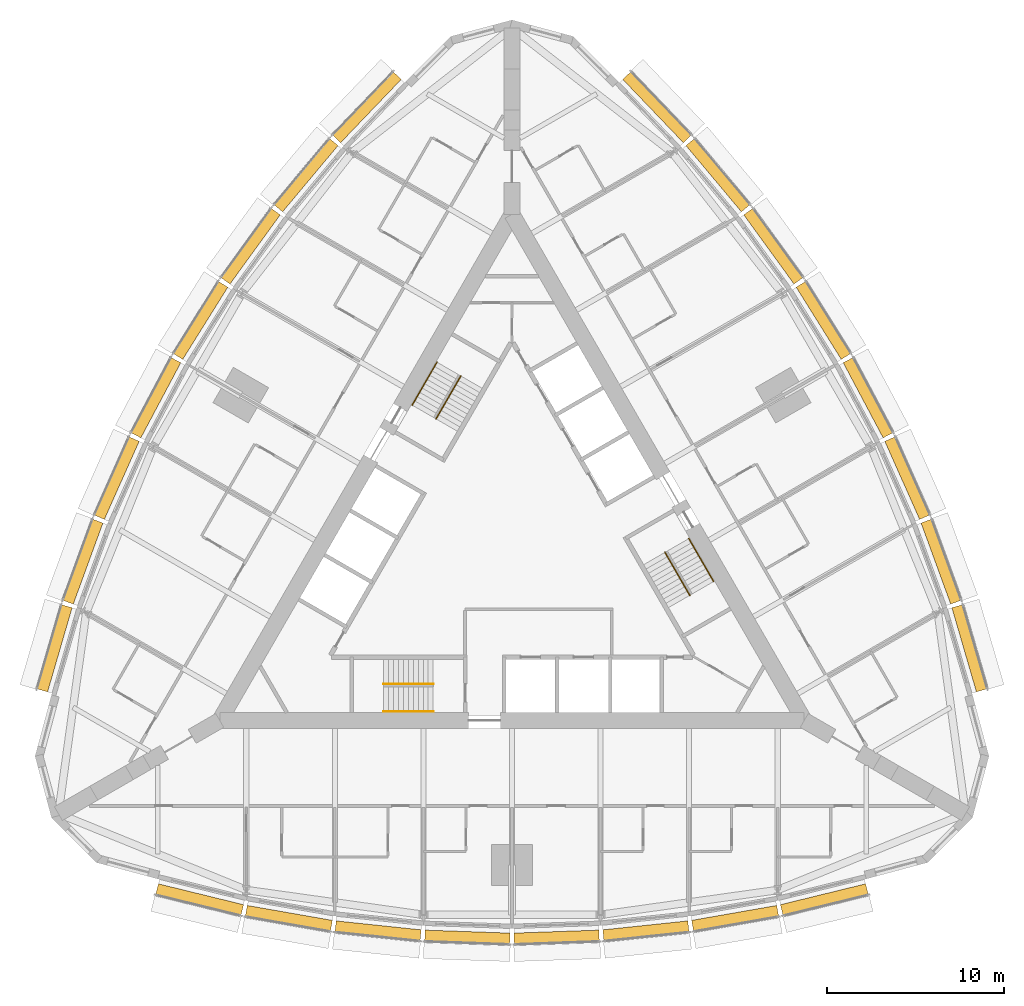
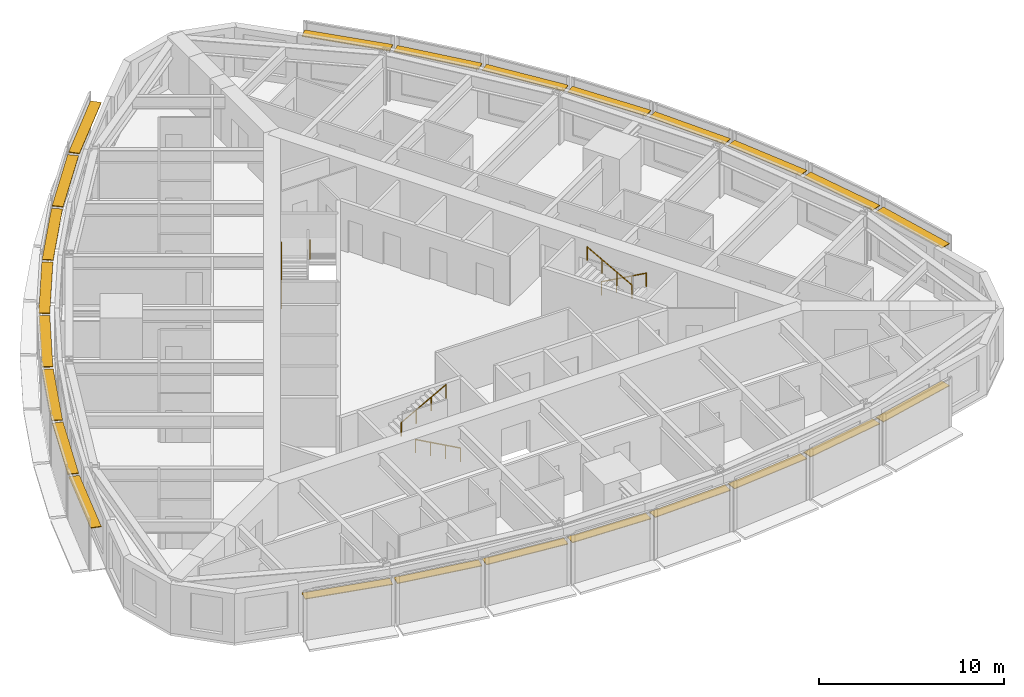
# One storey, part 14 of 14: 24 shading devices, 6 railings.
"""IFC4 building model written with IfcOpenShell, lengths in metres."""

from ifc_helpers import new_model, si_unit, direction, frame, origin, origin_2d, place, context, subcontext, project, spatial, rectangle, circle, extrude, material, type_object, element, save


model = new_model("IFC4")

# Units and contexts
model_context = context("Model", 3, precision=1e-05, world=origin(), true_north=direction((0.0, 1.0)))
body_context = subcontext(model_context, "Body", "Model", "MODEL_VIEW")
ifc_project = project(units=[si_unit("LENGTHUNIT", "METRE"), si_unit("AREAUNIT", "SQUARE_METRE"), si_unit("VOLUMEUNIT", "CUBIC_METRE"), si_unit("PLANEANGLEUNIT", "RADIAN"), si_unit("MASSUNIT", "GRAM", prefix="KILO")], contexts=[model_context])

# Site, building, storey
site_placement = place(None, origin())
site = spatial("IfcSite", under=ifc_project, at=site_placement, CompositionType="ELEMENT")
building_placement = place(site_placement, origin())
building = spatial("IfcBuilding", under=site, at=building_placement, Name="Trikona Tower", CompositionType="ELEMENT")
storey_placement = place(building_placement, frame((0.0, 0.0, 152.10009765625)))
storey = spatial("IfcBuildingStorey", under=building, at=storey_placement, Name="L40", CompositionType="ELEMENT", Elevation=152.10009765625)

# Shading devices
ifc_material_1 = material(Name="Aluminium louvre blade, pale anodised", Category="aluminium")
shading_device_type = type_object("IfcShadingDeviceType", Name="Cavity louvre 600", PredefinedType="USERDEFINED", material=ifc_material_1)
shading_device_1_placement = place(storey_placement, frame((-17.63330078125, -19.631591796875, 2.77490234375), z_axis=(0.0, 0.0, 1.0), x_axis=(0.971274411564, -0.237962218516, 0.0)))
element("IfcShadingDevice", 1, at=shading_device_1_placement, inside=storey, type_object=shading_device_type, Name="Cavity louvre L40-00", ObjectType="LOUVRE", PredefinedType="USERDEFINED", context=body_context, shape_type="SweptSolid", body=[
    extrude(rectangle(XDim=4.947998046875, YDim=0.60009765625, at=origin_2d()), origin(), (0.0, 0.0, 1.0), 0.050048828125),
])
shading_device_2_placement = place(storey_placement, frame((-12.596435546875, -20.689208984375, 2.77490234375), z_axis=(0.0, 0.0, 1.0), x_axis=(0.985030604067, -0.172379549401, 0.0)))
element("IfcShadingDevice", 2, at=shading_device_2_placement, inside=storey, type_object=shading_device_type, Name="Cavity louvre L40-01", ObjectType="LOUVRE", PredefinedType="USERDEFINED", context=body_context, shape_type="SweptSolid", body=[
    extrude(rectangle(XDim=4.8759765625, YDim=0.60009765625, at=origin_2d()), origin(), (0.0, 0.0, 1.0), 0.050048828125),
])
shading_device_3_placement = place(storey_placement, frame((-7.55859375, -21.39453125, 2.77490234375), z_axis=(0.0, 0.0, 1.0), x_axis=(0.994532653854, -0.104426052392, 0.0)))
element("IfcShadingDevice", 3, at=shading_device_3_placement, inside=storey, type_object=shading_device_type, Name="Cavity louvre L40-02", ObjectType="LOUVRE", PredefinedType="USERDEFINED", context=body_context, shape_type="SweptSolid", body=[
    extrude(rectangle(XDim=4.827392578125, YDim=0.60009765625, at=origin_2d()), origin(), (0.0, 0.0, 1.0), 0.050048828125),
])
for number, where, z_axis, x_axis, name in (
    (4, (-2.51953125, -21.747314453125, 2.77490234375), (0.0, 0.0, 1.0), (0.999388082937, -0.034977988567, 0.0), "Cavity louvre L40-03"),
    (5, (2.51953125, -21.747314453125, 2.77490234375), (0.0, 0.0, 1.0), (0.999388082937, 0.034977988567, 0.0), "Cavity louvre L40-04"),
):
    element("IfcShadingDevice", number, at=place(storey_placement, frame(where, z_axis=z_axis, x_axis=x_axis)), inside=storey, type_object=shading_device_type, Name=name, ObjectType="LOUVRE", PredefinedType="USERDEFINED", context=body_context, shape_type="SweptSolid", body=[
        extrude(rectangle(XDim=4.802978515625, YDim=0.60009765625, at=origin_2d()), origin(), (0.0, 0.0, 1.0), 0.050048828125),
    ])
shading_device_4_placement = place(storey_placement, frame((7.55859375, -21.39453125, 2.77490234375), z_axis=(0.0, 0.0, 1.0), x_axis=(0.994532653854, 0.104426052392, 0.0)))
element("IfcShadingDevice", 6, at=shading_device_4_placement, inside=storey, type_object=shading_device_type, Name="Cavity louvre L40-05", ObjectType="LOUVRE", PredefinedType="USERDEFINED", context=body_context, shape_type="SweptSolid", body=[
    extrude(rectangle(XDim=4.827392578125, YDim=0.60009765625, at=origin_2d()), origin(), (0.0, 0.0, 1.0), 0.050048828125),
])
shading_device_5_placement = place(storey_placement, frame((12.596435546875, -20.689208984375, 2.77490234375), z_axis=(0.0, 0.0, 1.0), x_axis=(0.985030604067, 0.172379549401, 0.0)))
element("IfcShadingDevice", 7, at=shading_device_5_placement, inside=storey, type_object=shading_device_type, Name="Cavity louvre L40-06", ObjectType="LOUVRE", PredefinedType="USERDEFINED", context=body_context, shape_type="SweptSolid", body=[
    extrude(rectangle(XDim=4.8759765625, YDim=0.60009765625, at=origin_2d()), origin(), (0.0, 0.0, 1.0), 0.050048828125),
])
shading_device_6_placement = place(storey_placement, frame((17.63330078125, -19.631591796875, 2.77490234375), z_axis=(0.0, 0.0, 1.0), x_axis=(0.971274411564, 0.237962218516, 0.0)))
element("IfcShadingDevice", 8, at=shading_device_6_placement, inside=storey, type_object=shading_device_type, Name="Cavity louvre L40-07", ObjectType="LOUVRE", PredefinedType="USERDEFINED", context=body_context, shape_type="SweptSolid", body=[
    extrude(rectangle(XDim=4.947998046875, YDim=0.60009765625, at=origin_2d()), origin(), (0.0, 0.0, 1.0), 0.050048828125),
])
shading_device_7_placement = place(storey_placement, frame((25.818115234375, -5.455078125, 2.77490234375), z_axis=(0.0, 0.0, 1.0), x_axis=(-0.279554203664, 0.960129911634, 0.0)))
element("IfcShadingDevice", 9, at=shading_device_7_placement, inside=storey, type_object=shading_device_type, Name="Cavity louvre L40-12", ObjectType="LOUVRE", PredefinedType="USERDEFINED", context=body_context, shape_type="SweptSolid", body=[
    extrude(rectangle(XDim=4.94775390625, YDim=0.60009765625, at=origin_2d()), origin(), (0.0, 0.0, 1.0), 0.050048828125),
])
shading_device_8_placement = place(storey_placement, frame((24.2158203125, -0.564208984375, 2.77490234375), z_axis=(0.0, 0.0, 1.0), x_axis=(-0.343220397324, 0.939254895575, 0.0)))
element("IfcShadingDevice", 10, at=shading_device_8_placement, inside=storey, type_object=shading_device_type, Name="Cavity louvre L40-13", ObjectType="LOUVRE", PredefinedType="USERDEFINED", context=body_context, shape_type="SweptSolid", body=[
    extrude(rectangle(XDim=4.8759765625, YDim=0.60009765625, at=origin_2d()), origin(), (0.0, 0.0, 1.0), 0.050048828125),
])
shading_device_9_placement = place(storey_placement, frame((22.3076171875, 4.151611328125, 2.77490234375), z_axis=(0.0, 0.0, 1.0), x_axis=(-0.406843467615, 0.913497888809, 0.0)))
element("IfcShadingDevice", 11, at=shading_device_9_placement, inside=storey, type_object=shading_device_type, Name="Cavity louvre L40-14", ObjectType="LOUVRE", PredefinedType="USERDEFINED", context=body_context, shape_type="SweptSolid", body=[
    extrude(rectangle(XDim=4.827392578125, YDim=0.60009765625, at=origin_2d()), origin(), (0.0, 0.0, 1.0), 0.050048828125),
])
for number, where, z_axis, x_axis, name in (
    (12, (20.093505859375, 8.691650390625, 2.77490234375), (0.0, 0.0, 1.0), (-0.469397591494, 0.882986920118, 0.0), "Cavity louvre L40-15"),
    (13, (17.573974609375, 13.0556640625, 2.77490234375), (0.0, 0.0, 1.0), (-0.529994748414, 0.848000923734, 0.0), "Cavity louvre L40-16"),
):
    element("IfcShadingDevice", number, at=place(storey_placement, frame(where, z_axis=z_axis, x_axis=x_axis)), inside=storey, type_object=shading_device_type, Name=name, ObjectType="LOUVRE", PredefinedType="USERDEFINED", context=body_context, shape_type="SweptSolid", body=[
        extrude(rectangle(XDim=4.802978515625, YDim=0.60009765625, at=origin_2d()), origin(), (0.0, 0.0, 1.0), 0.050048828125),
    ])
shading_device_10_placement = place(storey_placement, frame((14.7490234375, 17.2431640625, 2.77490234375), z_axis=(0.0, 0.0, 1.0), x_axis=(-0.587686407834, 0.809088799853, 0.0)))
element("IfcShadingDevice", 14, at=shading_device_10_placement, inside=storey, type_object=shading_device_type, Name="Cavity louvre L40-17", ObjectType="LOUVRE", PredefinedType="USERDEFINED", context=body_context, shape_type="SweptSolid", body=[
    extrude(rectangle(XDim=4.827392578125, YDim=0.60009765625, at=origin_2d()), origin(), (0.0, 0.0, 1.0), 0.050048828125),
])
shading_device_11_placement = place(storey_placement, frame((11.619140625, 21.253662109375, 2.77490234375), z_axis=(0.0, 0.0, 1.0), x_axis=(-0.641807063101, 0.766866151133, 0.0)))
element("IfcShadingDevice", 15, at=shading_device_11_placement, inside=storey, type_object=shading_device_type, Name="Cavity louvre L40-18", ObjectType="LOUVRE", PredefinedType="USERDEFINED", context=body_context, shape_type="SweptSolid", body=[
    extrude(rectangle(XDim=4.8759765625, YDim=0.60009765625, at=origin_2d()), origin(), (0.0, 0.0, 1.0), 0.050048828125),
])
for number, where, z_axis, x_axis, name in (
    (16, (8.184814453125, 25.086669921875, 2.77490234375), (0.0, 0.0, 1.0), (-0.691723573819, 0.722162376078, 0.0), "Cavity louvre L40-19"),
    (17, (-8.184814453125, 25.086669921875, 2.77490234375), (0.0, 0.0, 1.0), (-0.691723573819, -0.722162376078, 0.0), "Cavity louvre L40-24"),
):
    element("IfcShadingDevice", number, at=place(storey_placement, frame(where, z_axis=z_axis, x_axis=x_axis)), inside=storey, type_object=shading_device_type, Name=name, ObjectType="LOUVRE", PredefinedType="USERDEFINED", context=body_context, shape_type="SweptSolid", body=[
        extrude(rectangle(XDim=4.947998046875, YDim=0.60009765625, at=origin_2d()), origin(), (0.0, 0.0, 1.0), 0.050048828125),
    ])
shading_device_12_placement = place(storey_placement, frame((-11.619140625, 21.253662109375, 2.77490234375), z_axis=(0.0, 0.0, 1.0), x_axis=(-0.641807063101, -0.766866151133, 0.0)))
element("IfcShadingDevice", 18, at=shading_device_12_placement, inside=storey, type_object=shading_device_type, Name="Cavity louvre L40-25", ObjectType="LOUVRE", PredefinedType="USERDEFINED", context=body_context, shape_type="SweptSolid", body=[
    extrude(rectangle(XDim=4.8759765625, YDim=0.60009765625, at=origin_2d()), origin(), (0.0, 0.0, 1.0), 0.050048828125),
])
shading_device_13_placement = place(storey_placement, frame((-14.7490234375, 17.2431640625, 2.77490234375), z_axis=(0.0, 0.0, 1.0), x_axis=(-0.587686407834, -0.809088799853, 0.0)))
element("IfcShadingDevice", 19, at=shading_device_13_placement, inside=storey, type_object=shading_device_type, Name="Cavity louvre L40-26", ObjectType="LOUVRE", PredefinedType="USERDEFINED", context=body_context, shape_type="SweptSolid", body=[
    extrude(rectangle(XDim=4.827392578125, YDim=0.60009765625, at=origin_2d()), origin(), (0.0, 0.0, 1.0), 0.050048828125),
])
for number, where, z_axis, x_axis, name in (
    (20, (-17.573974609375, 13.0556640625, 2.77490234375), (0.0, 0.0, 1.0), (-0.529994748414, -0.848000923734, 0.0), "Cavity louvre L40-27"),
    (21, (-20.093505859375, 8.691650390625, 2.77490234375), (0.0, 0.0, 1.0), (-0.469397591494, -0.882986920118, 0.0), "Cavity louvre L40-28"),
):
    element("IfcShadingDevice", number, at=place(storey_placement, frame(where, z_axis=z_axis, x_axis=x_axis)), inside=storey, type_object=shading_device_type, Name=name, ObjectType="LOUVRE", PredefinedType="USERDEFINED", context=body_context, shape_type="SweptSolid", body=[
        extrude(rectangle(XDim=4.802978515625, YDim=0.60009765625, at=origin_2d()), origin(), (0.0, 0.0, 1.0), 0.050048828125),
    ])
shading_device_14_placement = place(storey_placement, frame((-22.3076171875, 4.151611328125, 2.77490234375), z_axis=(0.0, 0.0, 1.0), x_axis=(-0.406843467615, -0.913497888809, 0.0)))
element("IfcShadingDevice", 22, at=shading_device_14_placement, inside=storey, type_object=shading_device_type, Name="Cavity louvre L40-29", ObjectType="LOUVRE", PredefinedType="USERDEFINED", context=body_context, shape_type="SweptSolid", body=[
    extrude(rectangle(XDim=4.827392578125, YDim=0.60009765625, at=origin_2d()), origin(), (0.0, 0.0, 1.0), 0.050048828125),
])
shading_device_15_placement = place(storey_placement, frame((-24.2158203125, -0.564208984375, 2.77490234375), z_axis=(0.0, 0.0, 1.0), x_axis=(-0.343220397324, -0.939254895575, 0.0)))
element("IfcShadingDevice", 23, at=shading_device_15_placement, inside=storey, type_object=shading_device_type, Name="Cavity louvre L40-30", ObjectType="LOUVRE", PredefinedType="USERDEFINED", context=body_context, shape_type="SweptSolid", body=[
    extrude(rectangle(XDim=4.8759765625, YDim=0.60009765625, at=origin_2d()), origin(), (0.0, 0.0, 1.0), 0.050048828125),
])
shading_device_16_placement = place(storey_placement, frame((-25.818115234375, -5.455078125, 2.77490234375), z_axis=(0.0, 0.0, 1.0), x_axis=(-0.279554203664, -0.960129911634, 0.0)))
element("IfcShadingDevice", 24, at=shading_device_16_placement, inside=storey, type_object=shading_device_type, Name="Cavity louvre L40-31", ObjectType="LOUVRE", PredefinedType="USERDEFINED", context=body_context, shape_type="SweptSolid", body=[
    extrude(rectangle(XDim=4.94775390625, YDim=0.60009765625, at=origin_2d()), origin(), (0.0, 0.0, 1.0), 0.050048828125),
])

# Railings
ifc_material_2 = material(Name="Stainless steel handrail", Category="steel")
railing_type = type_object("IfcRailingType", Name="Stair handrail", PredefinedType="HANDRAIL", material=ifc_material_2)
railing_1_placement = place(storey_placement, frame((-4.449951171875, -9.016357421875, 0.154296875)))
element("IfcRailing", 25, at=railing_1_placement, inside=storey, type_object=railing_type, Name="Stair handrail A L40 1", PredefinedType="HANDRAIL", context=body_context, shape_type="SweptSolid", body=[
    extrude(circle(Radius=0.02392578125, at=origin_2d()), frame((0.0, 0.0, 0.8759765625), z_axis=(-0.875471895205, 0.0, 0.483269035534), x_axis=(0.0, -1.0, 0.0)), (0.0, 0.0, 1.0), 3.1982421875),
    extrude(circle(Radius=0.02099609375, at=origin_2d()), origin(), (0.0, 0.0, 1.0), 0.851806640625),
    extrude(circle(Radius=0.02099609375, at=origin_2d()), frame((-0.933349609375, 0.0, 0.51513671875)), (0.0, 0.0, 1.0), 0.851806640625),
    extrude(circle(Radius=0.02099609375, at=origin_2d()), frame((-1.86669921875, 0.0, 1.030517578125)), (0.0, 0.0, 1.0), 0.851806640625),
    extrude(circle(Radius=0.02099609375, at=origin_2d()), frame((-2.800048828125, 0.0, 1.545654296875)), (0.0, 0.0, 1.0), 0.851806640625),
])
railing_2_placement = place(storey_placement, frame((-7.25, -7.46630859375, 1.8544921875)))
element("IfcRailing", 26, at=railing_2_placement, inside=storey, type_object=railing_type, Name="Stair handrail A L40 2", PredefinedType="HANDRAIL", context=body_context, shape_type="SweptSolid", body=[
    extrude(circle(Radius=0.02392578125, at=origin_2d()), frame((0.0, 0.0, 0.8759765625), z_axis=(0.875504190374, 0.0, 0.483210526207), x_axis=(0.0, 1.0, 0.0)), (0.0, 0.0, 1.0), 3.1982421875),
    extrude(circle(Radius=0.02099609375, at=origin_2d()), origin(), (0.0, 0.0, 1.0), 0.851806640625),
    extrude(circle(Radius=0.02099609375, at=origin_2d()), frame((0.933349609375, 0.0, 0.51513671875)), (0.0, 0.0, 1.0), 0.851806640625),
    extrude(circle(Radius=0.02099609375, at=origin_2d()), frame((1.86669921875, 0.0, 1.0302734375)), (0.0, 0.0, 1.0), 0.851806640625),
    extrude(circle(Radius=0.02099609375, at=origin_2d()), frame((2.800048828125, 0.0, 1.54541015625)), (0.0, 0.0, 1.0), 0.851806640625),
])
railing_3_placement = place(storey_placement, frame((9.9833984375, 0.740966796875, 0.154296875)))
element("IfcRailing", 27, at=railing_3_placement, inside=storey, type_object=railing_type, Name="Stair handrail B L40 1", PredefinedType="HANDRAIL", context=body_context, shape_type="SweptSolid", body=[
    extrude(circle(Radius=0.02392578125, at=origin_2d()), frame((0.0, 0.0, 0.8759765625), z_axis=(0.437691042731, -0.758211567396, 0.483261596012), x_axis=(0.866056369097, 0.49994636267, 0.0)), (0.0, 0.0, 1.0), 3.198486328125),
    extrude(circle(Radius=0.02099609375, at=origin_2d()), origin(), (0.0, 0.0, 1.0), 0.851806640625),
    extrude(circle(Radius=0.02099609375, at=origin_2d()), frame((0.466552734375, -0.808349609375, 0.51513671875)), (0.0, 0.0, 1.0), 0.851806640625),
    extrude(circle(Radius=0.02099609375, at=origin_2d()), frame((0.933349609375, -1.61669921875, 1.030517578125)), (0.0, 0.0, 1.0), 0.851806640625),
    extrude(circle(Radius=0.02099609375, at=origin_2d()), frame((1.39990234375, -2.425048828125, 1.545654296875)), (0.0, 0.0, 1.0), 0.851806640625),
])
railing_4_placement = place(storey_placement, frame((10.041015625, -2.458984375, 1.8544921875)))
element("IfcRailing", 28, at=railing_4_placement, inside=storey, type_object=railing_type, Name="Stair handrail B L40 2", PredefinedType="HANDRAIL", context=body_context, shape_type="SweptSolid", body=[
    extrude(circle(Radius=0.02392578125, at=origin_2d()), frame((0.0, 0.0, 0.8759765625), z_axis=(-0.437707188162, 0.758239536103, 0.483203087036), x_axis=(-0.866056369097, -0.49994636267, 0.0)), (0.0, 0.0, 1.0), 3.1982421875),
    extrude(circle(Radius=0.02099609375, at=origin_2d()), origin(), (0.0, 0.0, 1.0), 0.851806640625),
    extrude(circle(Radius=0.02099609375, at=origin_2d()), frame((-0.466552734375, 0.808349609375, 0.51513671875)), (0.0, 0.0, 1.0), 0.851806640625),
    extrude(circle(Radius=0.02099609375, at=origin_2d()), frame((-0.933349609375, 1.61669921875, 1.0302734375)), (0.0, 0.0, 1.0), 0.851806640625),
    extrude(circle(Radius=0.02099609375, at=origin_2d()), frame((-1.39990234375, 2.425048828125, 1.54541015625)), (0.0, 0.0, 1.0), 0.851806640625),
])
railing_5_placement = place(storey_placement, frame((-5.63330078125, 8.275390625, 0.154296875)))
element("IfcRailing", 29, at=railing_5_placement, inside=storey, type_object=railing_type, Name="Stair handrail C L40 1", PredefinedType="HANDRAIL", context=body_context, shape_type="SweptSolid", body=[
    extrude(circle(Radius=0.02392578125, at=origin_2d()), frame((0.0, 0.0, 0.8759765625), z_axis=(0.437716375571, 0.758179114435, 0.4832895664), x_axis=(-0.866034573852, 0.49998411664, 0.0)), (0.0, 0.0, 1.0), 3.1982421875),
    extrude(circle(Radius=0.02099609375, at=origin_2d()), origin(), (0.0, 0.0, 1.0), 0.851806640625),
    extrude(circle(Radius=0.02099609375, at=origin_2d()), frame((0.466552734375, 0.808349609375, 0.51513671875)), (0.0, 0.0, 1.0), 0.851806640625),
    extrude(circle(Radius=0.02099609375, at=origin_2d()), frame((0.933349609375, 1.616455078125, 1.030517578125)), (0.0, 0.0, 1.0), 0.851806640625),
    extrude(circle(Radius=0.02099609375, at=origin_2d()), frame((1.39990234375, 2.4248046875, 1.545654296875)), (0.0, 0.0, 1.0), 0.851806640625),
])
railing_6_placement = place(storey_placement, frame((-2.89111328125, 9.92529296875, 1.8544921875)))
element("IfcRailing", 30, at=railing_6_placement, inside=storey, type_object=railing_type, Name="Stair handrail C L40 2", PredefinedType="HANDRAIL", context=body_context, shape_type="SweptSolid", body=[
    extrude(circle(Radius=0.02392578125, at=origin_2d()), frame((0.0, 0.0, 0.8759765625), z_axis=(-0.437707188162, -0.758239536103, 0.483203087036), x_axis=(0.866056369097, -0.49994636267, 0.0)), (0.0, 0.0, 1.0), 3.1982421875),
    extrude(circle(Radius=0.02099609375, at=origin_2d()), origin(), (0.0, 0.0, 1.0), 0.851806640625),
    extrude(circle(Radius=0.02099609375, at=origin_2d()), frame((-0.466552734375, -0.808349609375, 0.51513671875)), (0.0, 0.0, 1.0), 0.851806640625),
    extrude(circle(Radius=0.02099609375, at=origin_2d()), frame((-0.933349609375, -1.61669921875, 1.0302734375)), (0.0, 0.0, 1.0), 0.851806640625),
    extrude(circle(Radius=0.02099609375, at=origin_2d()), frame((-1.39990234375, -2.425048828125, 1.54541015625)), (0.0, 0.0, 1.0), 0.851806640625),
])

save(model, "model.ifc")
